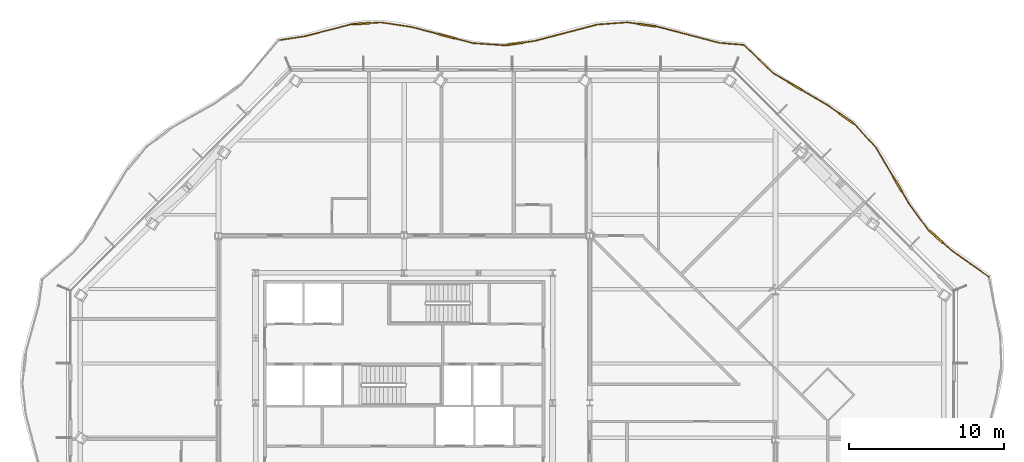
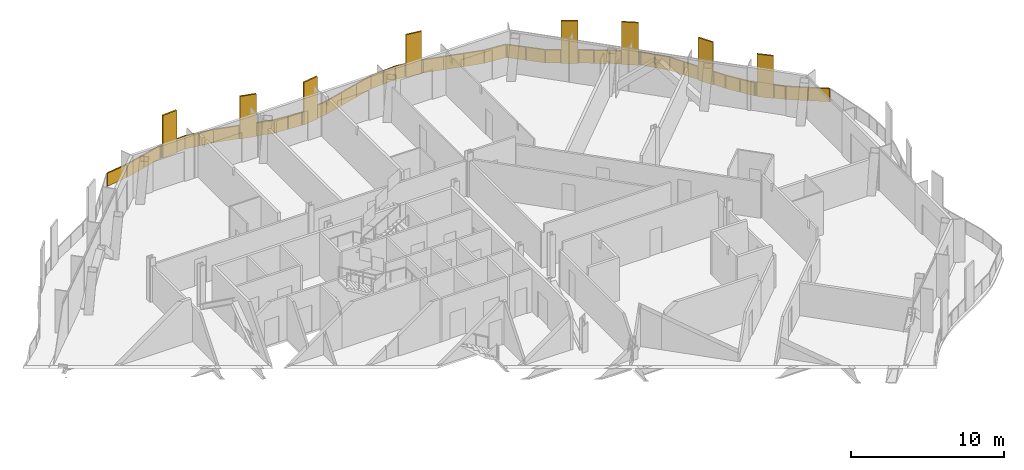
# One storey, part 19 of 19: 2 railings.
"""IFC4 building model written with IfcOpenShell, lengths in metres."""

import ifcopenshell
import ifcopenshell.guid

model = None  # the IFC model being written
_history = None  # IfcOwnerHistory: only IFC2X3 demands one
_inside = {}  # id of a spatial element -> (the spatial element, [elements in it])
_under = {}  # id of a project, library or spatial element -> (it, [spatial elements below it])
_declared = {}  # id of a project -> (the project, [libraries it declares])
_typed = {}  # id of a type object -> (the type object, [elements of that type])
_made_of = {}  # id of a material, layer set ... -> (it, [elements and type objects made of it])


def new_model(schema):
    """Start an empty IFC model of exactly this schema.

    Asked for "IFC4X3", IfcOpenShell would pick the latest addendum, in which some entities
    have other attributes; the version numbers below select the first issue.
    IFC2X3 requires an IfcOwnerHistory on every rooted entity: one is made here for all.
    """
    global model, _history
    if schema == "IFC4X3":
        model = ifcopenshell.file(schema_version=(4, 3, 0, 0))
    else:
        model = ifcopenshell.file(schema=schema)
    _inside.clear()
    _under.clear()
    _declared.clear()
    _typed.clear()
    _made_of.clear()
    _history = None
    if model.schema == "IFC2X3":
        org = make("IfcOrganization", Name="unknown")
        user = make(
            "IfcPersonAndOrganization",
            ThePerson=make("IfcPerson", FamilyName="unknown"),
            TheOrganization=org,
        )
        app = make(
            "IfcApplication",
            ApplicationDeveloper=org,
            Version="unknown",
            ApplicationFullName="unknown",
            ApplicationIdentifier="unknown",
        )
        _history = make(
            "IfcOwnerHistory",
            OwningUser=user,
            OwningApplication=app,
            ChangeAction="ADDED",
            CreationDate=0,
        )
    return model


def make(cls, **values):
    """One entity of the class cls with the attributes given. An attribute that is None is left unset."""
    return model.create_entity(
        cls, **{name: value for name, value in values.items() if value is not None}
    )


def rooted(cls, **values):
    """An entity with a GlobalId (a new one), such as an element, a storey or a relation."""
    return make(cls, GlobalId=ifcopenshell.guid.new(), OwnerHistory=_history, **values)


def si_unit(unit_type, name, prefix=None):
    """IfcSIUnit, for example si_unit("LENGTHUNIT", "METRE", prefix="MILLI")."""
    return make("IfcSIUnit", UnitType=unit_type, Prefix=prefix, Name=name)


def assignment(units):
    """IfcUnitAssignment: the units of a project."""
    return None if units is None else make("IfcUnitAssignment", Units=units)


def point(xyz):
    """IfcCartesianPoint."""
    return None if xyz is None else make("IfcCartesianPoint", Coordinates=xyz)


def direction(xyz):
    """IfcDirection."""
    return None if xyz is None else make("IfcDirection", DirectionRatios=xyz)


def frame(location, z_axis=None, x_axis=None):
    """IfcAxis2Placement3D, a coordinate frame: its origin and axes. An axis left out is left unset."""
    return make(
        "IfcAxis2Placement3D",
        Location=point(location),
        Axis=direction(z_axis),
        RefDirection=direction(x_axis),
    )


def frame_2d(location, x_axis=None):
    """IfcAxis2Placement2D, a coordinate frame in the plane: its origin and x axis."""
    return make(
        "IfcAxis2Placement2D", Location=point(location), RefDirection=direction(x_axis)
    )


def origin():
    """The frame at (0, 0, 0) with its axes left unset."""
    return frame((0.0, 0.0, 0.0))


def origin_2d():
    """The frame at (0, 0) in the plane with its x axis left unset."""
    return frame_2d((0.0, 0.0))


def place(relative_to, where):
    """IfcLocalPlacement: puts the frame where relative to a parent placement (None: the world)."""
    return make(
        "IfcLocalPlacement", PlacementRelTo=relative_to, RelativePlacement=where
    )


def context(
    kind, dimensions, precision=None, world=None, true_north=None, identifier=None
):
    """IfcGeometricRepresentationContext, for example the 3D "Model" context."""
    return make(
        "IfcGeometricRepresentationContext",
        ContextIdentifier=identifier,
        ContextType=kind,
        CoordinateSpaceDimension=dimensions,
        Precision=precision,
        WorldCoordinateSystem=world,
        TrueNorth=true_north,
    )


def subcontext(parent, identifier, kind, view, scale=None):
    """IfcGeometricRepresentationSubContext, for example "Body" below "Model"."""
    return make(
        "IfcGeometricRepresentationSubContext",
        ContextIdentifier=identifier,
        ContextType=kind,
        ParentContext=parent,
        TargetScale=scale,
        TargetView=view,
    )


def project(units=None, contexts=None):
    """IfcProject with its units and contexts."""
    return rooted(
        "IfcProject",
        Name="project",
        RepresentationContexts=contexts,
        UnitsInContext=assignment(units),
    )


def spatial(cls, under=None, at=None, **own):
    """A site, building, storey or space (cls), placed at a placement, below another one or the project."""
    s = rooted(cls, ObjectPlacement=at, **own)
    if under is not None:
        _under.setdefault(under.id(), (under, []))[1].append(s)
    return s


def polyline(points):
    """IfcPolyline through the points."""
    return make("IfcPolyline", Points=[point(p) for p in points])


def profile(cls, at=None, kind="AREA", **sizes):
    """A parametric profile (cls). Its sizes go by their IFC names, for example OverallWidth=200.0."""
    return make(cls, ProfileType=kind, Position=at, **sizes)


def rectangle(**sizes):
    """IfcRectangleProfileDef."""
    return profile("IfcRectangleProfileDef", **sizes)


def outline(outer, holes=None, kind="AREA"):
    """IfcArbitraryClosedProfileDef: a profile drawn as a closed curve; with holes, ...WithVoids."""
    if holes is None:
        return make("IfcArbitraryClosedProfileDef", ProfileType=kind, OuterCurve=outer)
    return make(
        "IfcArbitraryProfileDefWithVoids",
        ProfileType=kind,
        OuterCurve=outer,
        InnerCurves=holes,
    )


def extrude(swept, where, along, depth):
    """IfcExtrudedAreaSolid: the profile swept, set in the frame where, extruded along a direction by depth."""
    return make(
        "IfcExtrudedAreaSolid",
        SweptArea=swept,
        Position=where,
        ExtrudedDirection=direction(along),
        Depth=depth,
    )


def shape(context_of_items, identifier, shape_type, items):
    """IfcShapeRepresentation: the items that make up one representation, for example the "Body"."""
    return make(
        "IfcShapeRepresentation",
        ContextOfItems=context_of_items,
        RepresentationIdentifier=identifier,
        RepresentationType=shape_type,
        Items=items,
    )


def material(Name=None, Category=None):
    """IfcMaterial."""
    return make("IfcMaterial", Name=Name, Category=Category)


def made_of(thing, what):
    """Note that an element or type object is made of a material, layer set ...; save() writes the relation."""
    if what is not None:
        _made_of.setdefault(what.id(), (what, []))[1].append(thing)
    return thing


def type_object(cls, material=None, **own):
    """A type object (cls), such as IfcWallType, which elements share."""
    return made_of(rooted(cls, **own), material)


def element(
    cls,
    number,
    at=None,
    inside=None,
    cuts=None,
    type_object=None,
    material=None,
    context=None,
    identifier="Body",
    shape_type=None,
    held_by="IfcProductDefinitionShape",
    body=None,
    shapes=None,
    **own,
):
    """One element of the class cls, such as IfcWall. Its Tag is "e" and its number.

    at: its placement. inside: the storey or other place that contains it. cuts: it is an
    opening in that element (IfcRelVoidsElement). A single representation is given by context,
    identifier, shape_type and body (its items); several are given by shapes. held_by: the class
    of the entity that holds the representations. save() writes the other relations.
    """
    e = rooted(cls, Tag="e%d" % number, ObjectPlacement=at, **own)
    if body is not None:
        shapes = [shape(context, identifier, shape_type, body)]
    if shapes is not None:
        e.Representation = make(held_by, Representations=shapes)
    if inside is not None:
        _inside.setdefault(inside.id(), (inside, []))[1].append(e)
    if cuts is not None:
        rooted(
            "IfcRelVoidsElement", RelatingBuildingElement=cuts, RelatedOpeningElement=e
        )
    if type_object is not None:
        _typed.setdefault(type_object.id(), (type_object, []))[1].append(e)
    return made_of(e, material)


def aggregate(whole, parts):
    """IfcRelAggregates: a whole, such as a stair, and the parts it consists of."""
    return rooted("IfcRelAggregates", RelatingObject=whole, RelatedObjects=parts)


def save(model, path):
    """Write the relations noted so far, then the file.

    IfcRelAggregates (storeys below a building ...), IfcRelContainedInSpatialStructure (elements
    in a storey), IfcRelDefinesByType, IfcRelAssociatesMaterial and IfcRelDeclares: one each for
    every whole, place, type object, material and project.
    """
    for whole, parts in _under.values():
        aggregate(whole, parts)
    for where, things in _inside.values():
        rooted(
            "IfcRelContainedInSpatialStructure",
            RelatedElements=things,
            RelatingStructure=where,
        )
    for kind, things in _typed.values():
        rooted("IfcRelDefinesByType", RelatedObjects=things, RelatingType=kind)
    for what, things in _made_of.values():
        rooted("IfcRelAssociatesMaterial", RelatedObjects=things, RelatingMaterial=what)
    for by, libraries in _declared.values():
        rooted("IfcRelDeclares", RelatingContext=by, RelatedDefinitions=libraries)
    model.write(path)


model = new_model("IFC4")

# Units and contexts
model_context = context("Model", 3, precision=1e-05, world=origin(), true_north=direction((0.0, 1.0)))
body_context = subcontext(model_context, "Body", "Model", "MODEL_VIEW")
ifc_project = project(units=[si_unit("LENGTHUNIT", "METRE"), si_unit("AREAUNIT", "SQUARE_METRE"), si_unit("VOLUMEUNIT", "CUBIC_METRE"), si_unit("PLANEANGLEUNIT", "RADIAN"), si_unit("MASSUNIT", "GRAM", prefix="KILO")], contexts=[model_context])

# Site, building, storey
site_placement = place(None, origin())
site = spatial("IfcSite", under=ifc_project, at=site_placement, CompositionType="ELEMENT")
building_placement = place(site_placement, origin())
building = spatial("IfcBuilding", under=site, at=building_placement, Name="Cairn Pilgrim Tower", CompositionType="ELEMENT")
storey_placement = place(building_placement, frame((0.0, 0.0, 197.39990234375)))
storey = spatial("IfcBuildingStorey", under=building, at=storey_placement, Name="L50", CompositionType="ELEMENT", Elevation=197.39990234375)

# Railings
ifc_material = material(Name="Bronze anodised aluminium rail, posts and fin screens with laminated glass infill", Category="aluminium")
railing_type = type_object("IfcRailingType", Name="BALCONY GUARD WITH FIN SCREENS", PredefinedType="GUARDRAIL", material=ifc_material)
railing_1_placement = place(storey_placement, frame((44.982177734375, 10.550048828125, 0.0)))
element("IfcRailing", 1, at=railing_1_placement, inside=storey, type_object=railing_type, Name="Balcony guard BGF-4 with fin screens", PredefinedType="GUARDRAIL", context=body_context, shape_type="SweptSolid", body=[
    extrude(rectangle(XDim=0.050048828125, YDim=0.050048828125, at=origin_2d()), frame((0.0, 0.0, 1.0751953125), z_axis=(-0.816166056099, 0.577817418283, 0.0), x_axis=(-0.577817418283, -0.816166056099, 0.0)), (0.0, 0.0, 1.0), 2.9140625),
    extrude(rectangle(XDim=1.10009765625, YDim=0.110107421875, at=origin_2d()), frame((-3.404052734375, 2.584716796875, 0.0), z_axis=(0.0, 0.0, 1.0), x_axis=(-0.751374462494, 0.659876061932, 0.0)), (0.0, 0.0, 1.0), 3.39990234375),
    extrude(rectangle(XDim=0.050048828125, YDim=0.050048828125, at=origin_2d()), frame((-2.37841796875, 1.683837890625, 1.0751953125), z_axis=(-0.751374462494, 0.659876061932, 0.0), x_axis=(-0.659876061932, -0.751374462494, 0.0)), (0.0, 0.0, 1.0), 0.815185546875),
    extrude(rectangle(XDim=0.050048828125, YDim=0.050048828125, at=origin_2d()), frame((-3.8173828125, 2.947509765625, 1.0751953125), z_axis=(-0.751374462494, 0.659876061932, 0.0), x_axis=(-0.659876061932, -0.751374462494, 0.0)), (0.0, 0.0, 1.0), 0.150146484375),
    extrude(rectangle(XDim=0.050048828125, YDim=0.050048828125, at=origin_2d()), frame((-3.93017578125, 3.046630859375, 1.0751953125), z_axis=(-0.590363015711, 0.807137850482, 0.0), x_axis=(-0.807137850482, -0.590363015711, 0.0)), (0.0, 0.0, 1.0), 2.084716796875),
    extrude(rectangle(XDim=1.10009765625, YDim=0.110107421875, at=origin_2d()), frame((-5.910888671875, 6.00341796875, 0.0), z_axis=(0.0, 0.0, 1.0), x_axis=(-0.507330074401, 0.861751817874, 0.0)), (0.0, 0.0, 1.0), 3.39990234375),
    extrude(rectangle(XDim=0.050048828125, YDim=0.050048828125, at=origin_2d()), frame((-5.160888671875, 4.729248046875, 1.0751953125), z_axis=(-0.507330074401, 0.861751817874, 0.0), x_axis=(-0.861751817874, -0.507330074401, 0.0)), (0.0, 0.0, 1.0), 0.928466796875),
    extrude(rectangle(XDim=0.050048828125, YDim=0.050048828125, at=origin_2d()), frame((-6.18994140625, 6.477294921875, 1.0751953125), z_axis=(-0.507330074401, 0.861751817874, 0.0), x_axis=(-0.861751817874, -0.507330074401, 0.0)), (0.0, 0.0, 1.0), 2.170654296875),
    extrude(rectangle(XDim=0.050048828125, YDim=0.050048828125, at=origin_2d()), frame((-7.291259765625, 8.347900390625, 1.0751953125), z_axis=(-0.671849079012, 0.740688068643, 0.0), x_axis=(-0.740688068643, -0.671849079012, 0.0)), (0.0, 0.0, 1.0), 2.00732421875),
    extrude(rectangle(XDim=1.10009765625, YDim=0.110107421875, at=origin_2d()), frame((-9.210205078125, 10.240234375, 0.0), z_axis=(0.0, 0.0, 1.0), x_axis=(-0.814918944197, 0.579574942859, 0.0)), (0.0, 0.0, 1.0), 3.39990234375),
    extrude(rectangle(XDim=0.050048828125, YDim=0.050048828125, at=origin_2d()), frame((-8.639892578125, 9.834716796875, 1.0751953125), z_axis=(-0.814918944197, 0.579574942859, 0.0), x_axis=(-0.579574942859, -0.814918944197, 0.0)), (0.0, 0.0, 1.0), 0.14990234375),
    extrude(rectangle(XDim=0.050048828125, YDim=0.050048828125, at=origin_2d()), frame((-9.658447265625, 10.55908203125, 1.0751953125), z_axis=(-0.814918944197, 0.579574942859, 0.0), x_axis=(-0.579574942859, -0.814918944197, 0.0)), (0.0, 0.0, 1.0), 0.792724609375),
    extrude(rectangle(XDim=1.10009765625, YDim=0.110107421875, at=origin_2d()), frame((-12.558837890625, 12.355712890625, 0.0), z_axis=(0.0, 0.0, 1.0), x_axis=(-0.860068440262, 0.510178672687, 0.0)), (0.0, 0.0, 1.0), 3.39990234375),
    extrude(rectangle(XDim=0.050048828125, YDim=0.050048828125, at=origin_2d()), frame((-10.304443359375, 11.0185546875, 1.0751953125), z_axis=(-0.860068440262, 0.510178672687, 0.0), x_axis=(-0.510178672687, -0.860068440262, 0.0)), (0.0, 0.0, 1.0), 2.071044921875),
    extrude(rectangle(XDim=0.050048828125, YDim=0.050048828125, at=origin_2d()), frame((-13.03173828125, 12.636474609375, 1.0751953125), z_axis=(-0.860068440262, 0.510178672687, 0.0), x_axis=(-0.510178672687, -0.860068440262, 0.0)), (0.0, 0.0, 1.0), 1.04345703125),
    extrude(rectangle(XDim=0.050048828125, YDim=0.050048828125, at=origin_2d()), frame((-13.92919921875, 13.168701171875, 1.0751953125), z_axis=(-0.724426424387, 0.689352127472, 0.0), x_axis=(-0.689352127472, -0.724426424387, 0.0)), (0.0, 0.0, 1.0), 2.575439453125),
    extrude(rectangle(XDim=0.050048828125, YDim=0.050048828125, at=origin_2d()), origin(), (0.0, 0.0, 1.0), 1.050048828125),
    extrude(rectangle(XDim=0.050048828125, YDim=0.050048828125, at=origin_2d()), frame((-1.189208984375, 0.841796875, 0.0)), (0.0, 0.0, 1.0), 1.050048828125),
    extrude(rectangle(XDim=0.050048828125, YDim=0.050048828125, at=origin_2d()), frame((-2.37841796875, 1.683837890625, 0.0)), (0.0, 0.0, 1.0), 1.050048828125),
    extrude(rectangle(XDim=0.050048828125, YDim=0.050048828125, at=origin_2d()), frame((-2.971923828125, 2.205078125, 0.0)), (0.0, 0.0, 1.0), 1.050048828125),
    extrude(rectangle(XDim=0.050048828125, YDim=0.050048828125, at=origin_2d()), frame((-3.836181640625, 2.964111328125, 0.0)), (0.0, 0.0, 1.0), 1.050048828125),
    extrude(rectangle(XDim=0.050048828125, YDim=0.050048828125, at=origin_2d()), frame((-3.93017578125, 3.046630859375, 0.0)), (0.0, 0.0, 1.0), 1.050048828125),
    extrude(rectangle(XDim=0.050048828125, YDim=0.050048828125, at=origin_2d()), frame((-4.54541015625, 3.887939453125, 0.0)), (0.0, 0.0, 1.0), 1.050048828125),
    extrude(rectangle(XDim=0.050048828125, YDim=0.050048828125, at=origin_2d()), frame((-5.160888671875, 4.729248046875, 0.0)), (0.0, 0.0, 1.0), 1.050048828125),
    extrude(rectangle(XDim=0.050048828125, YDim=0.050048828125, at=origin_2d()), frame((-5.619140625, 5.5078125, 0.0)), (0.0, 0.0, 1.0), 1.050048828125),
    extrude(rectangle(XDim=0.050048828125, YDim=0.050048828125, at=origin_2d()), frame((-6.20263671875, 6.498779296875, 0.0)), (0.0, 0.0, 1.0), 1.050048828125),
    extrude(rectangle(XDim=0.050048828125, YDim=0.050048828125, at=origin_2d()), frame((-6.7470703125, 7.42333984375, 0.0)), (0.0, 0.0, 1.0), 1.050048828125),
    extrude(rectangle(XDim=0.050048828125, YDim=0.050048828125, at=origin_2d()), frame((-7.291259765625, 8.347900390625, 0.0)), (0.0, 0.0, 1.0), 1.050048828125),
    extrude(rectangle(XDim=0.050048828125, YDim=0.050048828125, at=origin_2d()), frame((-7.965576171875, 9.09130859375, 0.0)), (0.0, 0.0, 1.0), 1.050048828125),
    extrude(rectangle(XDim=0.050048828125, YDim=0.050048828125, at=origin_2d()), frame((-8.639892578125, 9.834716796875, 0.0)), (0.0, 0.0, 1.0), 1.050048828125),
    extrude(rectangle(XDim=0.050048828125, YDim=0.050048828125, at=origin_2d()), frame((-8.74169921875, 9.906982421875, 0.0)), (0.0, 0.0, 1.0), 1.050048828125),
    extrude(rectangle(XDim=0.050048828125, YDim=0.050048828125, at=origin_2d()), frame((-9.6787109375, 10.573486328125, 0.0)), (0.0, 0.0, 1.0), 1.050048828125),
    extrude(rectangle(XDim=0.050048828125, YDim=0.050048828125, at=origin_2d()), frame((-10.304443359375, 11.0185546875, 0.0)), (0.0, 0.0, 1.0), 1.050048828125),
    extrude(rectangle(XDim=0.050048828125, YDim=0.050048828125, at=origin_2d()), frame((-11.184326171875, 11.54052734375, 0.0)), (0.0, 0.0, 1.0), 1.050048828125),
    extrude(rectangle(XDim=0.050048828125, YDim=0.050048828125, at=origin_2d()), frame((-12.064208984375, 12.0625, 0.0)), (0.0, 0.0, 1.0), 1.050048828125),
    extrude(rectangle(XDim=0.050048828125, YDim=0.050048828125, at=origin_2d()), frame((-13.05322265625, 12.649169921875, 0.0)), (0.0, 0.0, 1.0), 1.050048828125),
    extrude(rectangle(XDim=0.050048828125, YDim=0.050048828125, at=origin_2d()), frame((-13.92919921875, 13.168701171875, 0.0)), (0.0, 0.0, 1.0), 1.050048828125),
    extrude(rectangle(XDim=0.050048828125, YDim=0.050048828125, at=origin_2d()), frame((-14.862060546875, 14.056396484375, 0.0)), (0.0, 0.0, 1.0), 1.050048828125),
    extrude(rectangle(XDim=0.050048828125, YDim=0.050048828125, at=origin_2d()), frame((-15.794921875, 14.944091796875, 0.0)), (0.0, 0.0, 1.0), 1.050048828125),
    extrude(outline(polyline([(0.02490234375, 0.0), (1.43212890625, 0.0), (1.43212890625, 1.050048828125), (0.02490234375, 1.050048828125), (0.02490234375, 0.0)])), frame((-0.00341796875, -0.0048828125, 0.0), z_axis=(0.577817418283, 0.816166056099, 0.0), x_axis=(-0.816166056099, 0.577817418283, 0.0)), (0.0, 0.0, 1.0), 0.011962890625),
    extrude(outline(polyline([(0.02490234375, 0.0), (1.43212890625, 0.0), (1.43212890625, 1.050048828125), (0.02490234375, 1.050048828125), (0.02490234375, 0.0)])), frame((-1.192626953125, 0.837158203125, 0.0), z_axis=(0.577817418283, 0.816166056099, 0.0), x_axis=(-0.816166056099, 0.577817418283, 0.0)), (0.0, 0.0, 1.0), 0.011962890625),
    extrude(outline(polyline([(0.02490234375, 0.0), (0.76513671875, 0.0), (0.76513671875, 1.050048828125), (0.02490234375, 1.050048828125), (0.02490234375, 0.0)])), frame((-2.38232421875, 1.679443359375, 0.0), z_axis=(0.659876061932, 0.751374462494, 0.0), x_axis=(-0.751374462494, 0.659876061932, 0.0)), (0.0, 0.0, 1.0), 0.011962890625),
    extrude(outline(polyline([(0.02490234375, 0.0), (0.10009765625, 0.0), (0.10009765625, 1.050048828125), (0.02490234375, 1.050048828125), (0.02490234375, 0.0)])), frame((-3.840087890625, 2.95947265625, 0.0), z_axis=(0.659876061932, 0.751374462494, 0.0), x_axis=(-0.751374462494, 0.659876061932, 0.0)), (0.0, 0.0, 1.0), 0.011962890625),
    extrude(outline(polyline([(0.02490234375, 0.0), (1.017333984375, 0.0), (1.017333984375, 1.050048828125), (0.02490234375, 1.050048828125), (0.02490234375, 0.0)])), frame((-3.93505859375, 3.043212890625, 0.0), z_axis=(0.807137850482, 0.590363015711, 0.0), x_axis=(-0.590363015711, 0.807137850482, 0.0)), (0.0, 0.0, 1.0), 0.011962890625),
    extrude(outline(polyline([(0.02490234375, 0.0), (1.017333984375, 0.0), (1.017333984375, 1.050048828125), (0.02490234375, 1.050048828125), (0.02490234375, 0.0)])), frame((-4.55029296875, 3.884521484375, 0.0), z_axis=(0.807137850482, 0.590363015711, 0.0), x_axis=(-0.590363015711, 0.807137850482, 0.0)), (0.0, 0.0, 1.0), 0.011962890625),
    extrude(outline(polyline([(0.02490234375, 0.0), (0.87841796875, 0.0), (0.87841796875, 1.050048828125), (0.02490234375, 1.050048828125), (0.02490234375, 0.0)])), frame((-5.166015625, 4.726318359375, 0.0), z_axis=(0.861751817874, 0.507330074401, 0.0), x_axis=(-0.507330074401, 0.861751817874, 0.0)), (0.0, 0.0, 1.0), 0.011962890625),
    extrude(outline(polyline([(0.02490234375, 0.0), (1.0478515625, 0.0), (1.0478515625, 1.050048828125), (0.02490234375, 1.050048828125), (0.02490234375, 0.0)])), frame((-6.207763671875, 6.495849609375, 0.0), z_axis=(0.861751817874, 0.507330074401, 0.0), x_axis=(-0.507330074401, 0.861751817874, 0.0)), (0.0, 0.0, 1.0), 0.011962890625),
    extrude(outline(polyline([(0.02490234375, 0.0), (1.0478515625, 0.0), (1.0478515625, 1.050048828125), (0.02490234375, 1.050048828125), (0.02490234375, 0.0)])), frame((-6.752197265625, 7.42041015625, 0.0), z_axis=(0.861751817874, 0.507330074401, 0.0), x_axis=(-0.507330074401, 0.861751817874, 0.0)), (0.0, 0.0, 1.0), 0.011962890625),
    extrude(outline(polyline([(0.02490234375, 0.0), (0.978759765625, 0.0), (0.978759765625, 1.050048828125), (0.02490234375, 1.050048828125), (0.02490234375, 0.0)])), frame((-7.295654296875, 8.343994140625, 0.0), z_axis=(0.740688068643, 0.671849079012, 0.0), x_axis=(-0.671849079012, 0.740688068643, 0.0)), (0.0, 0.0, 1.0), 0.011962890625),
    extrude(outline(polyline([(0.02490234375, 0.0), (0.978759765625, 0.0), (0.978759765625, 1.050048828125), (0.02490234375, 1.050048828125), (0.02490234375, 0.0)])), frame((-7.969970703125, 9.08740234375, 0.0), z_axis=(0.740688068643, 0.671849079012, 0.0), x_axis=(-0.671849079012, 0.740688068643, 0.0)), (0.0, 0.0, 1.0), 0.011962890625),
    extrude(outline(polyline([(0.02490234375, 0.0), (0.099853515625, 0.0), (0.099853515625, 1.050048828125), (0.02490234375, 1.050048828125), (0.02490234375, 0.0)])), frame((-8.643310546875, 9.829833984375, 0.0), z_axis=(0.579574942859, 0.814918944197, 0.0), x_axis=(-0.814918944197, 0.579574942859, 0.0)), (0.0, 0.0, 1.0), 0.011962890625),
    extrude(outline(polyline([(0.02490234375, 0.0), (0.74267578125, 0.0), (0.74267578125, 1.050048828125), (0.02490234375, 1.050048828125), (0.02490234375, 0.0)])), frame((-9.682373046875, 10.568603515625, 0.0), z_axis=(0.579574942859, 0.814918944197, 0.0), x_axis=(-0.814918944197, 0.579574942859, 0.0)), (0.0, 0.0, 1.0), 0.011962890625),
    extrude(outline(polyline([(0.02490234375, 0.0), (0.998046875, 0.0), (0.998046875, 1.050048828125), (0.02490234375, 1.050048828125), (0.02490234375, 0.0)])), frame((-10.307373046875, 11.013427734375, 0.0), z_axis=(0.510178672687, 0.860068440262, 0.0), x_axis=(-0.860068440262, 0.510178672687, 0.0)), (0.0, 0.0, 1.0), 0.011962890625),
    extrude(outline(polyline([(0.02490234375, 0.0), (0.998046875, 0.0), (0.998046875, 1.050048828125), (0.02490234375, 1.050048828125), (0.02490234375, 0.0)])), frame((-11.187255859375, 11.535400390625, 0.0), z_axis=(0.510178672687, 0.860068440262, 0.0), x_axis=(-0.860068440262, 0.510178672687, 0.0)), (0.0, 0.0, 1.0), 0.011962890625),
    extrude(outline(polyline([(0.02490234375, 0.0), (0.993408203125, 0.0), (0.993408203125, 1.050048828125), (0.02490234375, 1.050048828125), (0.02490234375, 0.0)])), frame((-13.056396484375, 12.64404296875, 0.0), z_axis=(0.510178672687, 0.860068440262, 0.0), x_axis=(-0.860068440262, 0.510178672687, 0.0)), (0.0, 0.0, 1.0), 0.011962890625),
    extrude(outline(polyline([(0.02490234375, 0.0), (1.2626953125, 0.0), (1.2626953125, 1.050048828125), (0.02490234375, 1.050048828125), (0.02490234375, 0.0)])), frame((-13.933349609375, 13.164306640625, 0.0), z_axis=(0.689352127472, 0.724426424387, 0.0), x_axis=(-0.724426424387, 0.689352127472, 0.0)), (0.0, 0.0, 1.0), 0.011962890625),
    extrude(outline(polyline([(0.02490234375, 0.0), (1.2626953125, 0.0), (1.2626953125, 1.050048828125), (0.02490234375, 1.050048828125), (0.02490234375, 0.0)])), frame((-14.8662109375, 14.052001953125, 0.0), z_axis=(0.689352127472, 0.724426424387, 0.0), x_axis=(-0.724426424387, 0.689352127472, 0.0)), (0.0, 0.0, 1.0), 0.011962890625),
])
railing_2_placement = place(storey_placement, frame((29.143798828125, 25.535400390625, 0.0)))
element("IfcRailing", 2, at=railing_2_placement, inside=storey, type_object=railing_type, Name="Balcony guard BGF-5 with fin screens", PredefinedType="GUARDRAIL", context=body_context, shape_type="SweptSolid", body=[
    extrude(rectangle(XDim=0.050048828125, YDim=0.050048828125, at=origin_2d()), frame((0.0, 0.0, 1.0751953125), z_axis=(-0.996594212598, 0.082461963454, 0.0), x_axis=(-0.082461963454, -0.996594212598, 0.0)), (0.0, 0.0, 1.0), 1.5927734375),
    extrude(rectangle(XDim=0.050048828125, YDim=0.050048828125, at=origin_2d()), frame((-1.58740234375, 0.13134765625, 1.0751953125), z_axis=(-0.966918256122, 0.255086428448, 0.0), x_axis=(-0.255086428448, -0.966918256122, 0.0)), (0.0, 0.0, 1.0), 4.112548828125),
    extrude(rectangle(XDim=1.10009765625, YDim=0.110107421875, at=origin_2d()), frame((-6.25732421875, 1.278564453125, 0.0), z_axis=(0.0, 0.0, 1.0), x_axis=(-0.990133512237, 0.140127184891, 0.0)), (0.0, 0.0, 1.0), 3.39990234375),
    extrude(rectangle(XDim=0.050048828125, YDim=0.050048828125, at=origin_2d()), frame((-5.56396484375, 1.180419921875, 1.0751953125), z_axis=(-0.990133512237, 0.140127184891, 0.0), x_axis=(-0.140127184891, -0.990133512237, 0.0)), (0.0, 0.0, 1.0), 0.150146484375),
    extrude(rectangle(XDim=0.050048828125, YDim=0.050048828125, at=origin_2d()), frame((-6.8017578125, 1.355712890625, 1.0751953125), z_axis=(-0.990133512237, 0.140127184891, 0.0), x_axis=(-0.140127184891, -0.990133512237, 0.0)), (0.0, 0.0, 1.0), 0.730712890625),
    extrude(rectangle(XDim=0.050048828125, YDim=0.050048828125, at=origin_2d()), frame((-7.525390625, 1.4580078125, 1.0751953125), z_axis=(-0.997190486838, -0.074907496017, 0.0), x_axis=(0.074907496017, -0.997190486838, 0.0)), (0.0, 0.0, 1.0), 1.962158203125),
    extrude(rectangle(XDim=0.050048828125, YDim=0.050048828125, at=origin_2d()), frame((-9.48193359375, 1.31103515625, 1.0751953125), z_axis=(-0.967075308191, -0.254490369735, 0.0), x_axis=(0.254490369735, -0.967075308191, 0.0)), (0.0, 0.0, 1.0), 4.10205078125),
    extrude(rectangle(XDim=1.10009765625, YDim=0.110107421875, at=origin_2d()), frame((-14.76708984375, 0.073486328125, 0.0), z_axis=(0.0, 0.0, 1.0), x_axis=(-0.98939420398, -0.145255323936, 0.0)), (0.0, 0.0, 1.0), 3.39990234375),
    extrude(rectangle(XDim=0.050048828125, YDim=0.050048828125, at=origin_2d()), frame((-13.448974609375, 0.26708984375, 1.0751953125), z_axis=(-0.98939420398, -0.145255323936, 0.0), x_axis=(0.145255323936, -0.98939420398, 0.0)), (0.0, 0.0, 1.0), 0.7822265625),
    extrude(rectangle(XDim=0.050048828125, YDim=0.050048828125, at=origin_2d()), frame((-15.311279296875, -0.00634765625, 1.0751953125), z_axis=(-0.98939420398, -0.145255323936, 0.0), x_axis=(0.145255323936, -0.98939420398, 0.0)), (0.0, 0.0, 1.0), 0.14990234375),
    extrude(rectangle(XDim=0.050048828125, YDim=0.050048828125, at=origin_2d()), frame((-15.45947265625, -0.028076171875, 1.0751953125), z_axis=(-0.997619166667, 0.068963746267, 0.0), x_axis=(-0.068963746267, -0.997619166667, 0.0)), (0.0, 0.0, 1.0), 2.021484375),
    extrude(rectangle(XDim=1.10009765625, YDim=0.110107421875, at=origin_2d()), frame((-19.192626953125, 0.5615234375, 0.0), z_axis=(0.0, 0.0, 1.0), x_axis=(-0.967295623354, 0.25365168448, 0.0)), (0.0, 0.0, 1.0), 3.39990234375),
    extrude(rectangle(XDim=0.050048828125, YDim=0.050048828125, at=origin_2d()), frame((-17.47607421875, 0.111328125, 1.0751953125), z_axis=(-0.967295623354, 0.25365168448, 0.0), x_axis=(-0.25365168448, -0.967295623354, 0.0)), (0.0, 0.0, 1.0), 1.224609375),
    extrude(rectangle(XDim=0.050048828125, YDim=0.050048828125, at=origin_2d()), frame((-19.724609375, 0.700927734375, 1.0751953125), z_axis=(-0.967295623354, 0.25365168448, 0.0), x_axis=(-0.25365168448, -0.967295623354, 0.0)), (0.0, 0.0, 1.0), 1.7880859375),
    extrude(rectangle(XDim=0.050048828125, YDim=0.050048828125, at=origin_2d()), frame((-21.454345703125, 1.154541015625, 1.0751953125), z_axis=(-0.988603721186, 0.150541298175, 0.0), x_axis=(-0.150541298175, -0.988603721186, 0.0)), (0.0, 0.0, 1.0), 1.985107421875),
    extrude(rectangle(XDim=1.10009765625, YDim=0.110107421875, at=origin_2d()), frame((-24.674072265625, 1.3740234375, 0.0), z_axis=(0.0, 0.0, 1.0), x_axis=(-0.998011157215, -0.063037529091, 0.0)), (0.0, 0.0, 1.0), 3.39990234375),
    extrude(rectangle(XDim=0.050048828125, YDim=0.050048828125, at=origin_2d()), frame((-23.416748046875, 1.453369140625, 1.0751953125), z_axis=(-0.998011157215, -0.063037529091, 0.0), x_axis=(0.063037529091, -0.998011157215, 0.0)), (0.0, 0.0, 1.0), 0.7099609375),
    extrude(rectangle(XDim=0.050048828125, YDim=0.050048828125, at=origin_2d()), frame((-25.222900390625, 1.33935546875, 1.0751953125), z_axis=(-0.998011157215, -0.063037529091, 0.0), x_axis=(0.063037529091, -0.998011157215, 0.0)), (0.0, 0.0, 1.0), 0.14990234375),
    extrude(rectangle(XDim=0.050048828125, YDim=0.050048828125, at=origin_2d()), frame((-25.37255859375, 1.329833984375, 1.0751953125), z_axis=(-0.968131957015, -0.250440639287, 0.0), x_axis=(0.250440639287, -0.968131957015, 0.0)), (0.0, 0.0, 1.0), 3.07080078125),
    extrude(rectangle(XDim=0.050048828125, YDim=0.050048828125, at=origin_2d()), frame((-28.345458984375, 0.560791015625, 1.0751953125), z_axis=(-0.988549372863, -0.150897771393, 0.0), x_axis=(0.150897771393, -0.988549372863, 0.0)), (0.0, 0.0, 1.0), 1.66162109375),
    extrude(rectangle(XDim=0.050048828125, YDim=0.050048828125, at=origin_2d()), origin(), (0.0, 0.0, 1.0), 1.050048828125),
    extrude(rectangle(XDim=0.050048828125, YDim=0.050048828125, at=origin_2d()), frame((-1.58740234375, 0.13134765625, 0.0)), (0.0, 0.0, 1.0), 1.050048828125),
    extrude(rectangle(XDim=0.050048828125, YDim=0.050048828125, at=origin_2d()), frame((-2.912841796875, 0.48095703125, 0.0)), (0.0, 0.0, 1.0), 1.050048828125),
    extrude(rectangle(XDim=0.050048828125, YDim=0.050048828125, at=origin_2d()), frame((-4.238525390625, 0.830810546875, 0.0)), (0.0, 0.0, 1.0), 1.050048828125),
    extrude(rectangle(XDim=0.050048828125, YDim=0.050048828125, at=origin_2d()), frame((-5.56396484375, 1.180419921875, 0.0)), (0.0, 0.0, 1.0), 1.050048828125),
    extrude(rectangle(XDim=0.050048828125, YDim=0.050048828125, at=origin_2d()), frame((-5.687744140625, 1.197998046875, 0.0)), (0.0, 0.0, 1.0), 1.050048828125),
    extrude(rectangle(XDim=0.050048828125, YDim=0.050048828125, at=origin_2d()), frame((-6.82666015625, 1.359130859375, 0.0)), (0.0, 0.0, 1.0), 1.050048828125),
    extrude(rectangle(XDim=0.050048828125, YDim=0.050048828125, at=origin_2d()), frame((-7.525390625, 1.4580078125, 0.0)), (0.0, 0.0, 1.0), 1.050048828125),
    extrude(rectangle(XDim=0.050048828125, YDim=0.050048828125, at=origin_2d()), frame((-8.503662109375, 1.384521484375, 0.0)), (0.0, 0.0, 1.0), 1.050048828125),
    extrude(rectangle(XDim=0.050048828125, YDim=0.050048828125, at=origin_2d()), frame((-9.48193359375, 1.31103515625, 0.0)), (0.0, 0.0, 1.0), 1.050048828125),
    extrude(rectangle(XDim=0.050048828125, YDim=0.050048828125, at=origin_2d()), frame((-10.80419921875, 0.963134765625, 0.0)), (0.0, 0.0, 1.0), 1.050048828125),
    extrude(rectangle(XDim=0.050048828125, YDim=0.050048828125, at=origin_2d()), frame((-12.126708984375, 0.614990234375, 0.0)), (0.0, 0.0, 1.0), 1.050048828125),
    extrude(rectangle(XDim=0.050048828125, YDim=0.050048828125, at=origin_2d()), frame((-13.448974609375, 0.26708984375, 0.0)), (0.0, 0.0, 1.0), 1.050048828125),
    extrude(rectangle(XDim=0.050048828125, YDim=0.050048828125, at=origin_2d()), frame((-14.1982421875, 0.156982421875, 0.0)), (0.0, 0.0, 1.0), 1.050048828125),
    extrude(rectangle(XDim=0.050048828125, YDim=0.050048828125, at=origin_2d()), frame((-15.3359375, -0.010009765625, 0.0)), (0.0, 0.0, 1.0), 1.050048828125),
    extrude(rectangle(XDim=0.050048828125, YDim=0.050048828125, at=origin_2d()), frame((-15.45947265625, -0.028076171875, 0.0)), (0.0, 0.0, 1.0), 1.050048828125),
    extrude(rectangle(XDim=0.050048828125, YDim=0.050048828125, at=origin_2d()), frame((-16.4677734375, 0.04150390625, 0.0)), (0.0, 0.0, 1.0), 1.050048828125),
    extrude(rectangle(XDim=0.050048828125, YDim=0.050048828125, at=origin_2d()), frame((-17.47607421875, 0.111328125, 0.0)), (0.0, 0.0, 1.0), 1.050048828125),
    extrude(rectangle(XDim=0.050048828125, YDim=0.050048828125, at=origin_2d()), frame((-18.636474609375, 0.41552734375, 0.0)), (0.0, 0.0, 1.0), 1.050048828125),
    extrude(rectangle(XDim=0.050048828125, YDim=0.050048828125, at=origin_2d()), frame((-19.7490234375, 0.707275390625, 0.0)), (0.0, 0.0, 1.0), 1.050048828125),
    extrude(rectangle(XDim=0.050048828125, YDim=0.050048828125, at=origin_2d()), frame((-21.454345703125, 1.154541015625, 0.0)), (0.0, 0.0, 1.0), 1.050048828125),
    extrude(rectangle(XDim=0.050048828125, YDim=0.050048828125, at=origin_2d()), frame((-22.435546875, 1.303955078125, 0.0)), (0.0, 0.0, 1.0), 1.050048828125),
    extrude(rectangle(XDim=0.050048828125, YDim=0.050048828125, at=origin_2d()), frame((-23.416748046875, 1.453369140625, 0.0)), (0.0, 0.0, 1.0), 1.050048828125),
    extrude(rectangle(XDim=0.050048828125, YDim=0.050048828125, at=origin_2d()), frame((-24.100341796875, 1.41015625, 0.0)), (0.0, 0.0, 1.0), 1.050048828125),
    extrude(rectangle(XDim=0.050048828125, YDim=0.050048828125, at=origin_2d()), frame((-25.248046875, 1.337646484375, 0.0)), (0.0, 0.0, 1.0), 1.050048828125),
    extrude(rectangle(XDim=0.050048828125, YDim=0.050048828125, at=origin_2d()), frame((-25.37255859375, 1.329833984375, 0.0)), (0.0, 0.0, 1.0), 1.050048828125),
    extrude(rectangle(XDim=0.050048828125, YDim=0.050048828125, at=origin_2d()), frame((-26.85888671875, 0.9453125, 0.0)), (0.0, 0.0, 1.0), 1.050048828125),
    extrude(rectangle(XDim=0.050048828125, YDim=0.050048828125, at=origin_2d()), frame((-28.345458984375, 0.560791015625, 0.0)), (0.0, 0.0, 1.0), 1.050048828125),
    extrude(rectangle(XDim=0.050048828125, YDim=0.050048828125, at=origin_2d()), frame((-29.988037109375, 0.31005859375, 0.0)), (0.0, 0.0, 1.0), 1.050048828125),
    extrude(outline(polyline([(0.02490234375, 0.0), (1.56787109375, 0.0), (1.56787109375, 1.050048828125), (0.02490234375, 1.050048828125), (0.02490234375, 0.0)])), frame((-0.00048828125, -0.005859375, 0.0), z_axis=(0.082461963454, 0.996594212598, 0.0), x_axis=(-0.996594212598, 0.082461963454, 0.0)), (0.0, 0.0, 1.0), 0.011962890625),
    extrude(outline(polyline([(0.02490234375, 0.0), (1.345947265625, 0.0), (1.345947265625, 1.050048828125), (0.02490234375, 1.050048828125), (0.02490234375, 0.0)])), frame((-1.5888671875, 0.12548828125, 0.0), z_axis=(0.255086428448, 0.966918256122, 0.0), x_axis=(-0.966918256122, 0.255086428448, 0.0)), (0.0, 0.0, 1.0), 0.011962890625),
    extrude(outline(polyline([(0.02490234375, 0.0), (1.345947265625, 0.0), (1.345947265625, 1.050048828125), (0.02490234375, 1.050048828125), (0.02490234375, 0.0)])), frame((-2.91455078125, 0.475341796875, 0.0), z_axis=(0.255086428448, 0.966918256122, 0.0), x_axis=(-0.966918256122, 0.255086428448, 0.0)), (0.0, 0.0, 1.0), 0.011962890625),
    extrude(outline(polyline([(0.02490234375, 0.0), (1.345947265625, 0.0), (1.345947265625, 1.050048828125), (0.02490234375, 1.050048828125), (0.02490234375, 0.0)])), frame((-4.239990234375, 0.824951171875, 0.0), z_axis=(0.255086428448, 0.966918256122, 0.0), x_axis=(-0.966918256122, 0.255086428448, 0.0)), (0.0, 0.0, 1.0), 0.011962890625),
    extrude(outline(polyline([(0.02490234375, 0.0), (0.10009765625, 0.0), (0.10009765625, 1.050048828125), (0.02490234375, 1.050048828125), (0.02490234375, 0.0)])), frame((-5.564697265625, 1.174560546875, 0.0), z_axis=(0.140127184891, 0.990133512237, 0.0), x_axis=(-0.990133512237, 0.140127184891, 0.0)), (0.0, 0.0, 1.0), 0.011962890625),
    extrude(outline(polyline([(0.02490234375, 0.0), (0.6806640625, 0.0), (0.6806640625, 1.050048828125), (0.02490234375, 1.050048828125), (0.02490234375, 0.0)])), frame((-6.827392578125, 1.353271484375, 0.0), z_axis=(0.140127184891, 0.990133512237, 0.0), x_axis=(-0.990133512237, 0.140127184891, 0.0)), (0.0, 0.0, 1.0), 0.011962890625),
    extrude(outline(polyline([(0.02490234375, 0.0), (0.9560546875, 0.0), (0.9560546875, 1.050048828125), (0.02490234375, 1.050048828125), (0.02490234375, 0.0)])), frame((-7.52490234375, 1.4521484375, 0.0), z_axis=(-0.074907496017, 0.997190486838, 0.0), x_axis=(-0.997190486838, -0.074907496017, 0.0)), (0.0, 0.0, 1.0), 0.011962890625),
    extrude(outline(polyline([(0.02490234375, 0.0), (0.9560546875, 0.0), (0.9560546875, 1.050048828125), (0.02490234375, 1.050048828125), (0.02490234375, 0.0)])), frame((-8.503173828125, 1.378662109375, 0.0), z_axis=(-0.074907496017, 0.997190486838, 0.0), x_axis=(-0.997190486838, -0.074907496017, 0.0)), (0.0, 0.0, 1.0), 0.011962890625),
    extrude(outline(polyline([(0.02490234375, 0.0), (1.34228515625, 0.0), (1.34228515625, 1.050048828125), (0.02490234375, 1.050048828125), (0.02490234375, 0.0)])), frame((-9.48046875, 1.30517578125, 0.0), z_axis=(-0.254490369735, 0.967075308191, 0.0), x_axis=(-0.967075308191, -0.254490369735, 0.0)), (0.0, 0.0, 1.0), 0.011962890625),
    extrude(outline(polyline([(0.02490234375, 0.0), (1.34228515625, 0.0), (1.34228515625, 1.050048828125), (0.02490234375, 1.050048828125), (0.02490234375, 0.0)])), frame((-10.802734375, 0.957275390625, 0.0), z_axis=(-0.254490369735, 0.967075308191, 0.0), x_axis=(-0.967075308191, -0.254490369735, 0.0)), (0.0, 0.0, 1.0), 0.011962890625),
    extrude(outline(polyline([(0.02490234375, 0.0), (1.34228515625, 0.0), (1.34228515625, 1.050048828125), (0.02490234375, 1.050048828125), (0.02490234375, 0.0)])), frame((-12.125, 0.609375, 0.0), z_axis=(-0.254490369735, 0.967075308191, 0.0), x_axis=(-0.967075308191, -0.254490369735, 0.0)), (0.0, 0.0, 1.0), 0.011962890625),
    extrude(outline(polyline([(0.02490234375, 0.0), (0.732177734375, 0.0), (0.732177734375, 1.050048828125), (0.02490234375, 1.050048828125), (0.02490234375, 0.0)])), frame((-13.447998046875, 0.26123046875, 0.0), z_axis=(-0.145255323936, 0.98939420398, 0.0), x_axis=(-0.98939420398, -0.145255323936, 0.0)), (0.0, 0.0, 1.0), 0.011962890625),
    extrude(outline(polyline([(0.02490234375, 0.0), (0.099853515625, 0.0), (0.099853515625, 1.050048828125), (0.02490234375, 1.050048828125), (0.02490234375, 0.0)])), frame((-15.335205078125, -0.015869140625, 0.0), z_axis=(-0.145255323936, 0.98939420398, 0.0), x_axis=(-0.98939420398, -0.145255323936, 0.0)), (0.0, 0.0, 1.0), 0.011962890625),
    extrude(outline(polyline([(0.02490234375, 0.0), (0.985595703125, 0.0), (0.985595703125, 1.050048828125), (0.02490234375, 1.050048828125), (0.02490234375, 0.0)])), frame((-15.4599609375, -0.033935546875, 0.0), z_axis=(0.068963746267, 0.997619166667, 0.0), x_axis=(-0.997619166667, 0.068963746267, 0.0)), (0.0, 0.0, 1.0), 0.011962890625),
    extrude(outline(polyline([(0.02490234375, 0.0), (0.985595703125, 0.0), (0.985595703125, 1.050048828125), (0.02490234375, 1.050048828125), (0.02490234375, 0.0)])), frame((-16.46826171875, 0.03564453125, 0.0), z_axis=(0.068963746267, 0.997619166667, 0.0), x_axis=(-0.997619166667, 0.068963746267, 0.0)), (0.0, 0.0, 1.0), 0.011962890625),
    extrude(outline(polyline([(0.02490234375, 0.0), (1.174560546875, 0.0), (1.174560546875, 1.050048828125), (0.02490234375, 1.050048828125), (0.02490234375, 0.0)])), frame((-17.4775390625, 0.10546875, 0.0), z_axis=(0.25365168448, 0.967295623354, 0.0), x_axis=(-0.967295623354, 0.25365168448, 0.0)), (0.0, 0.0, 1.0), 0.011962890625),
    extrude(outline(polyline([(0.02490234375, 0.0), (1.738037109375, 0.0), (1.738037109375, 1.050048828125), (0.02490234375, 1.050048828125), (0.02490234375, 0.0)])), frame((-19.75048828125, 0.70166015625, 0.0), z_axis=(0.25365168448, 0.967295623354, 0.0), x_axis=(-0.967295623354, 0.25365168448, 0.0)), (0.0, 0.0, 1.0), 0.011962890625),
    extrude(outline(polyline([(0.02490234375, 0.0), (0.967529296875, 0.0), (0.967529296875, 1.050048828125), (0.02490234375, 1.050048828125), (0.02490234375, 0.0)])), frame((-21.455322265625, 1.148681640625, 0.0), z_axis=(0.150541298175, 0.988603721186, 0.0), x_axis=(-0.988603721186, 0.150541298175, 0.0)), (0.0, 0.0, 1.0), 0.011962890625),
    extrude(outline(polyline([(0.02490234375, 0.0), (0.967529296875, 0.0), (0.967529296875, 1.050048828125), (0.02490234375, 1.050048828125), (0.02490234375, 0.0)])), frame((-22.4365234375, 1.298095703125, 0.0), z_axis=(0.150541298175, 0.988603721186, 0.0), x_axis=(-0.988603721186, 0.150541298175, 0.0)), (0.0, 0.0, 1.0), 0.011962890625),
    extrude(outline(polyline([(0.02490234375, 0.0), (0.659912109375, 0.0), (0.659912109375, 1.050048828125), (0.02490234375, 1.050048828125), (0.02490234375, 0.0)])), frame((-23.416259765625, 1.447509765625, 0.0), z_axis=(-0.063037529091, 0.998011157215, 0.0), x_axis=(-0.998011157215, -0.063037529091, 0.0)), (0.0, 0.0, 1.0), 0.011962890625),
    extrude(outline(polyline([(0.02490234375, 0.0), (0.099853515625, 0.0), (0.099853515625, 1.050048828125), (0.02490234375, 1.050048828125), (0.02490234375, 0.0)])), frame((-25.24755859375, 1.331787109375, 0.0), z_axis=(-0.063037529091, 0.998011157215, 0.0), x_axis=(-0.998011157215, -0.063037529091, 0.0)), (0.0, 0.0, 1.0), 0.011962890625),
    extrude(outline(polyline([(0.02490234375, 0.0), (1.51025390625, 0.0), (1.51025390625, 1.050048828125), (0.02490234375, 1.050048828125), (0.02490234375, 0.0)])), frame((-25.37109375, 1.323974609375, 0.0), z_axis=(-0.250440639287, 0.968131957015, 0.0), x_axis=(-0.968131957015, -0.250440639287, 0.0)), (0.0, 0.0, 1.0), 0.011962890625),
    extrude(outline(polyline([(0.02490234375, 0.0), (1.51025390625, 0.0), (1.51025390625, 1.050048828125), (0.02490234375, 1.050048828125), (0.02490234375, 0.0)])), frame((-26.857421875, 0.939453125, 0.0), z_axis=(-0.250440639287, 0.968131957015, 0.0), x_axis=(-0.968131957015, -0.250440639287, 0.0)), (0.0, 0.0, 1.0), 0.011962890625),
    extrude(outline(polyline([(0.02490234375, 0.0), (1.636474609375, 0.0), (1.636474609375, 1.050048828125), (0.02490234375, 1.050048828125), (0.02490234375, 0.0)])), frame((-28.344482421875, 0.554931640625, 0.0), z_axis=(-0.150897771393, 0.988549372863, 0.0), x_axis=(-0.988549372863, -0.150897771393, 0.0)), (0.0, 0.0, 1.0), 0.011962890625),
])

save(model, "model.ifc")
